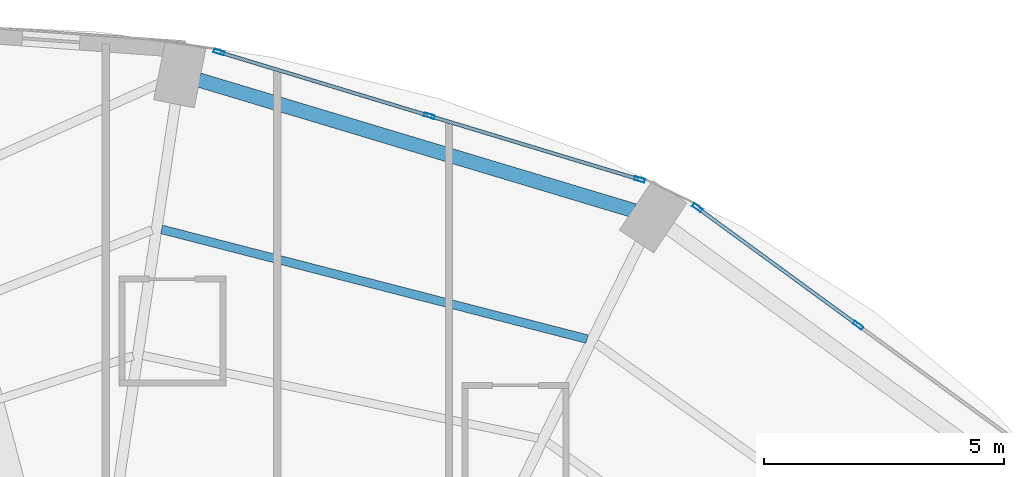
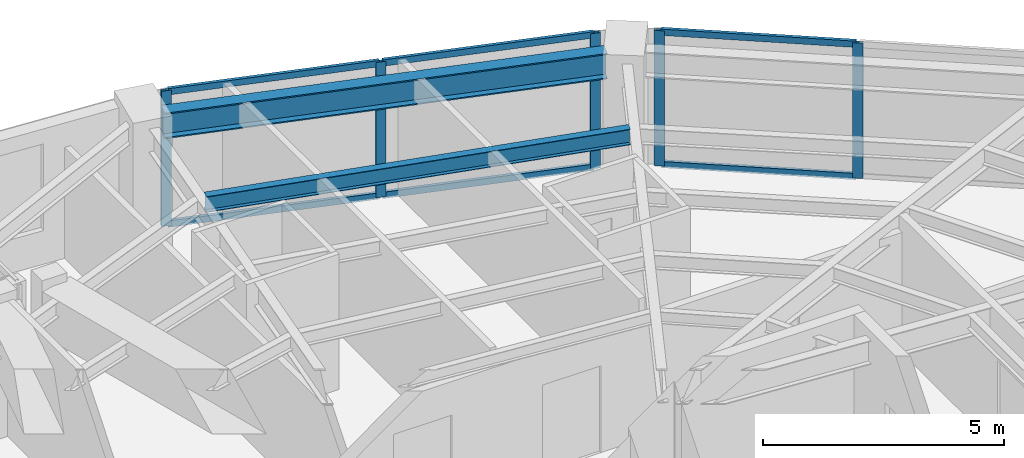
# One storey, part 18 of 25: 11 members, 2 beams, 2 elements without a shape of their own.
"""IFC4 building model written with IfcOpenShell, lengths in metres."""

import ifcopenshell
import ifcopenshell.guid

model = None  # the IFC model being written
_history = None  # IfcOwnerHistory: only IFC2X3 demands one
_inside = {}  # id of a spatial element -> (the spatial element, [elements in it])
_under = {}  # id of a project, library or spatial element -> (it, [spatial elements below it])
_declared = {}  # id of a project -> (the project, [libraries it declares])
_typed = {}  # id of a type object -> (the type object, [elements of that type])
_made_of = {}  # id of a material, layer set ... -> (it, [elements and type objects made of it])


def new_model(schema):
    """Start an empty IFC model of exactly this schema.

    Asked for "IFC4X3", IfcOpenShell would pick the latest addendum, in which some entities
    have other attributes; the version numbers below select the first issue.
    IFC2X3 requires an IfcOwnerHistory on every rooted entity: one is made here for all.
    """
    global model, _history
    if schema == "IFC4X3":
        model = ifcopenshell.file(schema_version=(4, 3, 0, 0))
    else:
        model = ifcopenshell.file(schema=schema)
    _inside.clear()
    _under.clear()
    _declared.clear()
    _typed.clear()
    _made_of.clear()
    _history = None
    if model.schema == "IFC2X3":
        org = make("IfcOrganization", Name="unknown")
        user = make(
            "IfcPersonAndOrganization",
            ThePerson=make("IfcPerson", FamilyName="unknown"),
            TheOrganization=org,
        )
        app = make(
            "IfcApplication",
            ApplicationDeveloper=org,
            Version="unknown",
            ApplicationFullName="unknown",
            ApplicationIdentifier="unknown",
        )
        _history = make(
            "IfcOwnerHistory",
            OwningUser=user,
            OwningApplication=app,
            ChangeAction="ADDED",
            CreationDate=0,
        )
    return model


def make(cls, **values):
    """One entity of the class cls with the attributes given. An attribute that is None is left unset."""
    return model.create_entity(
        cls, **{name: value for name, value in values.items() if value is not None}
    )


def rooted(cls, **values):
    """An entity with a GlobalId (a new one), such as an element, a storey or a relation."""
    return make(cls, GlobalId=ifcopenshell.guid.new(), OwnerHistory=_history, **values)


def si_unit(unit_type, name, prefix=None):
    """IfcSIUnit, for example si_unit("LENGTHUNIT", "METRE", prefix="MILLI")."""
    return make("IfcSIUnit", UnitType=unit_type, Prefix=prefix, Name=name)


def assignment(units):
    """IfcUnitAssignment: the units of a project."""
    return None if units is None else make("IfcUnitAssignment", Units=units)


def point(xyz):
    """IfcCartesianPoint."""
    return None if xyz is None else make("IfcCartesianPoint", Coordinates=xyz)


def direction(xyz):
    """IfcDirection."""
    return None if xyz is None else make("IfcDirection", DirectionRatios=xyz)


def frame(location, z_axis=None, x_axis=None):
    """IfcAxis2Placement3D, a coordinate frame: its origin and axes. An axis left out is left unset."""
    return make(
        "IfcAxis2Placement3D",
        Location=point(location),
        Axis=direction(z_axis),
        RefDirection=direction(x_axis),
    )


def frame_2d(location, x_axis=None):
    """IfcAxis2Placement2D, a coordinate frame in the plane: its origin and x axis."""
    return make(
        "IfcAxis2Placement2D", Location=point(location), RefDirection=direction(x_axis)
    )


def origin():
    """The frame at (0, 0, 0) with its axes left unset."""
    return frame((0.0, 0.0, 0.0))


def origin_2d():
    """The frame at (0, 0) in the plane with its x axis left unset."""
    return frame_2d((0.0, 0.0))


def place(relative_to, where):
    """IfcLocalPlacement: puts the frame where relative to a parent placement (None: the world)."""
    return make(
        "IfcLocalPlacement", PlacementRelTo=relative_to, RelativePlacement=where
    )


def context(
    kind, dimensions, precision=None, world=None, true_north=None, identifier=None
):
    """IfcGeometricRepresentationContext, for example the 3D "Model" context."""
    return make(
        "IfcGeometricRepresentationContext",
        ContextIdentifier=identifier,
        ContextType=kind,
        CoordinateSpaceDimension=dimensions,
        Precision=precision,
        WorldCoordinateSystem=world,
        TrueNorth=true_north,
    )


def subcontext(parent, identifier, kind, view, scale=None):
    """IfcGeometricRepresentationSubContext, for example "Body" below "Model"."""
    return make(
        "IfcGeometricRepresentationSubContext",
        ContextIdentifier=identifier,
        ContextType=kind,
        ParentContext=parent,
        TargetScale=scale,
        TargetView=view,
    )


def project(units=None, contexts=None):
    """IfcProject with its units and contexts."""
    return rooted(
        "IfcProject",
        Name="project",
        RepresentationContexts=contexts,
        UnitsInContext=assignment(units),
    )


def spatial(cls, under=None, at=None, **own):
    """A site, building, storey or space (cls), placed at a placement, below another one or the project."""
    s = rooted(cls, ObjectPlacement=at, **own)
    if under is not None:
        _under.setdefault(under.id(), (under, []))[1].append(s)
    return s


def profile(cls, at=None, kind="AREA", **sizes):
    """A parametric profile (cls). Its sizes go by their IFC names, for example OverallWidth=200.0."""
    return make(cls, ProfileType=kind, Position=at, **sizes)


def hollow_rectangle(**sizes):
    """IfcRectangleHollowProfileDef."""
    return profile("IfcRectangleHollowProfileDef", **sizes)


def i_section(**sizes):
    """IfcIShapeProfileDef."""
    return profile("IfcIShapeProfileDef", **sizes)


def extrude(swept, where, along, depth):
    """IfcExtrudedAreaSolid: the profile swept, set in the frame where, extruded along a direction by depth."""
    return make(
        "IfcExtrudedAreaSolid",
        SweptArea=swept,
        Position=where,
        ExtrudedDirection=direction(along),
        Depth=depth,
    )


def shape(context_of_items, identifier, shape_type, items):
    """IfcShapeRepresentation: the items that make up one representation, for example the "Body"."""
    return make(
        "IfcShapeRepresentation",
        ContextOfItems=context_of_items,
        RepresentationIdentifier=identifier,
        RepresentationType=shape_type,
        Items=items,
    )


def material(Name=None, Category=None):
    """IfcMaterial."""
    return make("IfcMaterial", Name=Name, Category=Category)


def layer(
    of_material, thickness, ventilated=None, Name=None, Category=None, Priority=None
):
    """IfcMaterialLayer: one layer of a wall or slab, of a material (None: an air gap)."""
    return make(
        "IfcMaterialLayer",
        Material=of_material,
        LayerThickness=thickness,
        IsVentilated=ventilated,
        Name=Name,
        Category=Category,
        Priority=Priority,
    )


def layer_set(layers, Name=None):
    """IfcMaterialLayerSet."""
    return make("IfcMaterialLayerSet", MaterialLayers=layers, LayerSetName=Name)


def material_profile(
    of_material, cross_section, Name=None, Category=None, Priority=None
):
    """IfcMaterialProfile: a cross section and its material."""
    return make(
        "IfcMaterialProfile",
        Name=Name,
        Material=of_material,
        Profile=cross_section,
        Priority=Priority,
        Category=Category,
    )


def profile_set(profiles, Name=None, composite=None):
    """IfcMaterialProfileSet."""
    return make(
        "IfcMaterialProfileSet",
        Name=Name,
        MaterialProfiles=profiles,
        CompositeProfile=composite,
    )


def made_of(thing, what):
    """Note that an element or type object is made of a material, layer set ...; save() writes the relation."""
    if what is not None:
        _made_of.setdefault(what.id(), (what, []))[1].append(thing)
    return thing


def type_object(cls, material=None, **own):
    """A type object (cls), such as IfcWallType, which elements share."""
    return made_of(rooted(cls, **own), material)


def element(
    cls,
    number,
    at=None,
    inside=None,
    cuts=None,
    type_object=None,
    material=None,
    context=None,
    identifier="Body",
    shape_type=None,
    held_by="IfcProductDefinitionShape",
    body=None,
    shapes=None,
    **own,
):
    """One element of the class cls, such as IfcWall. Its Tag is "e" and its number.

    at: its placement. inside: the storey or other place that contains it. cuts: it is an
    opening in that element (IfcRelVoidsElement). A single representation is given by context,
    identifier, shape_type and body (its items); several are given by shapes. held_by: the class
    of the entity that holds the representations. save() writes the other relations.
    """
    e = rooted(cls, Tag="e%d" % number, ObjectPlacement=at, **own)
    if body is not None:
        shapes = [shape(context, identifier, shape_type, body)]
    if shapes is not None:
        e.Representation = make(held_by, Representations=shapes)
    if inside is not None:
        _inside.setdefault(inside.id(), (inside, []))[1].append(e)
    if cuts is not None:
        rooted(
            "IfcRelVoidsElement", RelatingBuildingElement=cuts, RelatedOpeningElement=e
        )
    if type_object is not None:
        _typed.setdefault(type_object.id(), (type_object, []))[1].append(e)
    return made_of(e, material)


def aggregate(whole, parts):
    """IfcRelAggregates: a whole, such as a stair, and the parts it consists of."""
    return rooted("IfcRelAggregates", RelatingObject=whole, RelatedObjects=parts)


def save(model, path):
    """Write the relations noted so far, then the file.

    IfcRelAggregates (storeys below a building ...), IfcRelContainedInSpatialStructure (elements
    in a storey), IfcRelDefinesByType, IfcRelAssociatesMaterial and IfcRelDeclares: one each for
    every whole, place, type object, material and project.
    """
    for whole, parts in _under.values():
        aggregate(whole, parts)
    for where, things in _inside.values():
        rooted(
            "IfcRelContainedInSpatialStructure",
            RelatedElements=things,
            RelatingStructure=where,
        )
    for kind, things in _typed.values():
        rooted("IfcRelDefinesByType", RelatedObjects=things, RelatingType=kind)
    for what, things in _made_of.values():
        rooted("IfcRelAssociatesMaterial", RelatedObjects=things, RelatingMaterial=what)
    for by, libraries in _declared.values():
        rooted("IfcRelDeclares", RelatingContext=by, RelatedDefinitions=libraries)
    model.write(path)


model = new_model("IFC4")

# Units and contexts
model_context = context("Model", 3, precision=1e-05, world=origin(), true_north=direction((0.0, 1.0)))
body_context = subcontext(model_context, "Body", "Model", "MODEL_VIEW")
ifc_project = project(units=[si_unit("LENGTHUNIT", "METRE"), si_unit("AREAUNIT", "SQUARE_METRE"), si_unit("VOLUMEUNIT", "CUBIC_METRE"), si_unit("PLANEANGLEUNIT", "RADIAN"), si_unit("MASSUNIT", "GRAM", prefix="KILO")], contexts=[model_context])

# Site, building, storey
site_placement = place(None, origin())
site = spatial("IfcSite", under=ifc_project, at=site_placement, CompositionType="ELEMENT")
building_placement = place(site_placement, origin())
building = spatial("IfcBuilding", under=site, at=building_placement, Name="Lazwardi Medical Tower", CompositionType="ELEMENT")
storey_placement = place(building_placement, frame((0.0, 0.0, 47.087890625)))
storey = spatial("IfcBuildingStorey", under=building, at=storey_placement, Name="L11", CompositionType="ELEMENT", Elevation=47.087890625)

# Beams
ifc_material_1 = material(Name="Steel S355", Category="steel")
ifc_material_profile_1 = material_profile(ifc_material_1, i_section(OverallWidth=0.300048828125, OverallDepth=0.64990234375, WebThickness=0.01611328125, FlangeThickness=0.031005859375, at=origin_2d()), Name="HEB 650")
ifc_profile_set_1 = profile_set([ifc_material_profile_1], Name="Steel S355")
beam_type_1 = type_object("IfcBeamType", Name="BM-RB-Z1", PredefinedType="BEAM", material=ifc_profile_set_1)
beam_1_placement = place(storey_placement, frame((50.77880859375, 47.0048828125, 3.10302734375), z_axis=(-0.957695289269, 0.287784177662, 0.0), x_axis=(-0.287784177662, -0.957695289269, 0.0)))
element("IfcBeam", 1, at=beam_1_placement, inside=storey, type_object=beam_type_1, Name="Ring beam RB-02 B07 L11", PredefinedType="BEAM", context=body_context, shape_type="SweptSolid", body=[
    extrude(i_section(OverallWidth=0.300048828125, OverallDepth=0.64990234375, WebThickness=0.01611328125, FlangeThickness=0.031005859375, at=origin_2d()), origin(), (0.0, 0.0, 1.0), 9.445556640625),
])
ifc_material_profile_2 = material_profile(ifc_material_1, i_section(OverallWidth=0.179931640625, OverallDepth=0.39990234375, WebThickness=0.008544921875, FlangeThickness=0.013427734375, at=origin_2d()), Name="IPE 400")
ifc_profile_set_2 = profile_set([ifc_material_profile_2], Name="Steel S355")
beam_type_2 = type_object("IfcBeamType", Name="BM-SJ-01", PredefinedType="JOIST", material=ifc_profile_set_2)
beam_2_placement = place(storey_placement, frame((49.804931640625, 44.333251953125, 3.22802734375), z_axis=(-0.968316918308, 0.249724539682, 0.0), x_axis=(-0.249724539682, -0.968316918308, 0.0)))
element("IfcBeam", 2, at=beam_2_placement, inside=storey, type_object=beam_type_2, Name="Secondary joist SJ-01 R1 B07 L11", PredefinedType="JOIST", context=body_context, shape_type="SweptSolid", body=[
    extrude(i_section(OverallWidth=0.179931640625, OverallDepth=0.39990234375, WebThickness=0.008544921875, FlangeThickness=0.013427734375, at=origin_2d()), origin(), (0.0, 0.0, 1.0), 9.140869140625),
])

# Curtain wall, members
ifc_material_2 = material(Name="Anodised bronze aluminium and solar control glazing", Category="aluminium")
ifc_layer = layer(ifc_material_2, 0.199951171875)
ifc_layer_set = layer_set([ifc_layer], Name="Anodised bronze aluminium and solar control glazing")
curtain_wall_type = type_object("IfcCurtainWallType", Name="CW-SYS-02", PredefinedType="NOTDEFINED", material=ifc_layer_set)
curtain_wall_1_placement = place(storey_placement, origin())
curtain_wall_1 = element("IfcCurtainWall", 3, at=curtain_wall_1_placement, inside=storey, type_object=curtain_wall_type, Name="L11 Unitised bronze curtain wall CW-02", PredefinedType="NOTDEFINED")
ifc_material_3 = material(Name="Anodised bronze aluminium", Category="aluminium")
ifc_material_profile_3 = material_profile(ifc_material_3, hollow_rectangle(XDim=0.074951171875, YDim=0.219970703125, WallThickness=0.00390625, at=origin_2d()), Name="ALU-MULLION 220x75x4")
ifc_profile_set_3 = profile_set([ifc_material_profile_3], Name="Anodised bronze aluminium")
member_type_1 = type_object("IfcMemberType", Name="CW-MUL-01", PredefinedType="MULLION", material=ifc_profile_set_3)
member_1_placement = place(storey_placement, frame((55.4443359375, 44.619384765625, 0.0), z_axis=(0.0, 0.0, 1.0), x_axis=(-0.590289307341, -0.807191757663, 0.0)))
member_1 = element("IfcMember", 4, at=member_1_placement, type_object=member_type_1, Name="CW-02 mullion 2", PredefinedType="MULLION", context=body_context, shape_type="SweptSolid", body=[
    extrude(hollow_rectangle(XDim=0.074951171875, YDim=0.219970703125, WallThickness=0.00390625, at=origin_2d()), origin(), (0.0, 0.0, 1.0), 3.42822265625),
])
member_2_placement = place(storey_placement, frame((52.0986328125, 47.066162109375, 0.0), z_axis=(0.0, 0.0, 1.0), x_axis=(-0.590289307341, -0.807191757663, 0.0)))
member_2 = element("IfcMember", 5, at=member_2_placement, type_object=member_type_1, Name="CW-02 mullion 3", PredefinedType="MULLION", context=body_context, shape_type="SweptSolid", body=[
    extrude(hollow_rectangle(XDim=0.074951171875, YDim=0.219970703125, WallThickness=0.00390625, at=origin_2d()), origin(), (0.0, 0.0, 1.0), 3.42822265625),
])

curtain_wall_2_placement = place(storey_placement, origin())
curtain_wall_2 = element("IfcCurtainWall", 6, at=curtain_wall_2_placement, inside=storey, type_object=curtain_wall_type, Name="L11 Unitised bronze curtain wall CW-02", PredefinedType="NOTDEFINED")
member_3_placement = place(storey_placement, frame((50.8984375, 47.653076171875, 0.0), z_axis=(0.0, 0.0, 1.0), x_axis=(-0.2898956909, -0.957058247129, 0.0)))
member_3 = element("IfcMember", 7, at=member_3_placement, type_object=member_type_1, Name="CW-02 mullion 1", PredefinedType="MULLION", context=body_context, shape_type="SweptSolid", body=[
    extrude(hollow_rectangle(XDim=0.074951171875, YDim=0.219970703125, WallThickness=0.00390625, at=origin_2d()), origin(), (0.0, 0.0, 1.0), 3.42822265625),
])
member_4_placement = place(storey_placement, frame((46.523193359375, 48.978515625, 0.0), z_axis=(0.0, 0.0, 1.0), x_axis=(-0.2898956909, -0.957058247129, 0.0)))
member_4 = element("IfcMember", 8, at=member_4_placement, type_object=member_type_1, Name="CW-02 mullion 2", PredefinedType="MULLION", context=body_context, shape_type="SweptSolid", body=[
    extrude(hollow_rectangle(XDim=0.074951171875, YDim=0.219970703125, WallThickness=0.00390625, at=origin_2d()), origin(), (0.0, 0.0, 1.0), 3.42822265625),
])
member_5_placement = place(storey_placement, frame((42.14794921875, 50.3037109375, 0.0), z_axis=(0.0, 0.0, 1.0), x_axis=(-0.2898956909, -0.957058247129, 0.0)))
member_5 = element("IfcMember", 9, at=member_5_placement, type_object=member_type_1, Name="CW-02 mullion 3", PredefinedType="MULLION", context=body_context, shape_type="SweptSolid", body=[
    extrude(hollow_rectangle(XDim=0.074951171875, YDim=0.219970703125, WallThickness=0.00390625, at=origin_2d()), origin(), (0.0, 0.0, 1.0), 3.42822265625),
])

# Member
ifc_material_profile_4 = material_profile(ifc_material_3, hollow_rectangle(XDim=0.074951171875, YDim=0.159912109375, WallThickness=0.00390625, at=origin_2d()), Name="ALU-TRANSOM 160x75x4")
ifc_profile_set_4 = profile_set([ifc_material_profile_4], Name="Anodised bronze aluminium")
member_type_2 = type_object("IfcMemberType", Name="CW-TRN-01", PredefinedType="USERDEFINED", material=ifc_profile_set_4)
member_6_placement = place(storey_placement, frame((55.4140625, 44.641357421875, 0.03759765625), z_axis=(-0.807169053975, 0.590320352271, 0.0), x_axis=(-0.590320352271, -0.807169053975, 0.0)))
member_6 = element("IfcMember", 10, at=member_6_placement, type_object=member_type_2, Name="CW-02 transom 2.1", ObjectType="TRANSOM", PredefinedType="USERDEFINED", context=body_context, shape_type="SweptSolid", body=[
    extrude(hollow_rectangle(XDim=0.074951171875, YDim=0.159912109375, WallThickness=0.00390625, at=origin_2d()), origin(), (0.0, 0.0, 1.0), 4.070068359375),
])

member_7_placement = place(storey_placement, frame((55.4140625, 44.641357421875, 3.390625), z_axis=(-0.807169053975, 0.590320352271, 0.0), x_axis=(-0.590320352271, -0.807169053975, 0.0)))
member_7 = element("IfcMember", 11, at=member_7_placement, type_object=member_type_2, Name="CW-02 transom 2.2", ObjectType="TRANSOM", PredefinedType="USERDEFINED", context=body_context, shape_type="SweptSolid", body=[
    extrude(hollow_rectangle(XDim=0.074951171875, YDim=0.159912109375, WallThickness=0.00390625, at=origin_2d()), origin(), (0.0, 0.0, 1.0), 4.070068359375),
])

aggregate(curtain_wall_1, [member_1, member_2, member_6, member_7])

member_8_placement = place(storey_placement, frame((50.862548828125, 47.6640625, 0.03759765625), z_axis=(-0.957062297904, 0.289882317383, 0.0), x_axis=(-0.289882317383, -0.957062297904, 0.0)))
member_8 = element("IfcMember", 12, at=member_8_placement, type_object=member_type_2, Name="CW-02 transom 1.1", ObjectType="TRANSOM", PredefinedType="USERDEFINED", context=body_context, shape_type="SweptSolid", body=[
    extrude(hollow_rectangle(XDim=0.074951171875, YDim=0.159912109375, WallThickness=0.00390625, at=origin_2d()), origin(), (0.0, 0.0, 1.0), 4.49658203125),
])

member_9_placement = place(storey_placement, frame((50.862548828125, 47.6640625, 3.390625), z_axis=(-0.957062297904, 0.289882317383, 0.0), x_axis=(-0.289882317383, -0.957062297904, 0.0)))
member_9 = element("IfcMember", 13, at=member_9_placement, type_object=member_type_2, Name="CW-02 transom 1.2", ObjectType="TRANSOM", PredefinedType="USERDEFINED", context=body_context, shape_type="SweptSolid", body=[
    extrude(hollow_rectangle(XDim=0.074951171875, YDim=0.159912109375, WallThickness=0.00390625, at=origin_2d()), origin(), (0.0, 0.0, 1.0), 4.49658203125),
])

member_10_placement = place(storey_placement, frame((46.4873046875, 48.9892578125, 0.03759765625), z_axis=(-0.957047233423, 0.28993204893, 0.0), x_axis=(-0.28993204893, -0.957047233423, 0.0)))
member_10 = element("IfcMember", 14, at=member_10_placement, type_object=member_type_2, Name="CW-02 transom 2.1", ObjectType="TRANSOM", PredefinedType="USERDEFINED", context=body_context, shape_type="SweptSolid", body=[
    extrude(hollow_rectangle(XDim=0.074951171875, YDim=0.159912109375, WallThickness=0.00390625, at=origin_2d()), origin(), (0.0, 0.0, 1.0), 4.49658203125),
])

member_11_placement = place(storey_placement, frame((46.4873046875, 48.9892578125, 3.390625), z_axis=(-0.957047233423, 0.28993204893, 0.0), x_axis=(-0.28993204893, -0.957047233423, 0.0)))
member_11 = element("IfcMember", 15, at=member_11_placement, type_object=member_type_2, Name="CW-02 transom 2.2", ObjectType="TRANSOM", PredefinedType="USERDEFINED", context=body_context, shape_type="SweptSolid", body=[
    extrude(hollow_rectangle(XDim=0.074951171875, YDim=0.159912109375, WallThickness=0.00390625, at=origin_2d()), origin(), (0.0, 0.0, 1.0), 4.49658203125),
])

aggregate(curtain_wall_2, [member_3, member_4, member_5, member_8, member_9, member_10, member_11])

save(model, "model.ifc")
